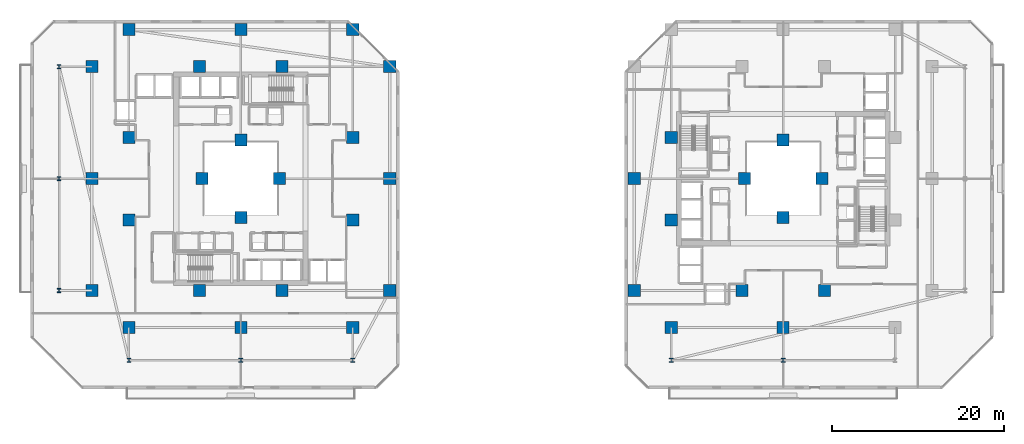
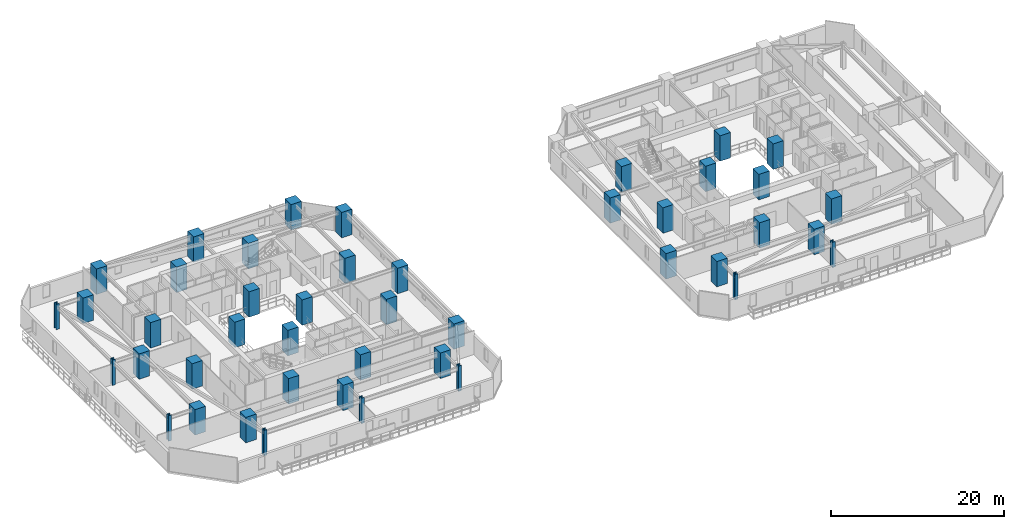
# One storey, part 1 of 33: 44 columns.
"""IFC4 building model written with IfcOpenShell, lengths in metres."""

from ifc_helpers import new_model, si_unit, direction, frame, origin, origin_2d, place, context, subcontext, project, spatial, rectangle, i_section, extrude, material, material_profile, profile_set, type_object, element, save


model = new_model("IFC4")

# Units and contexts
model_context = context("Model", 3, precision=1e-05, world=origin(), true_north=direction((0.0, 1.0)))
body_context = subcontext(model_context, "Body", "Model", "MODEL_VIEW")
ifc_project = project(units=[si_unit("LENGTHUNIT", "METRE"), si_unit("AREAUNIT", "SQUARE_METRE"), si_unit("VOLUMEUNIT", "CUBIC_METRE"), si_unit("PLANEANGLEUNIT", "RADIAN"), si_unit("MASSUNIT", "GRAM", prefix="KILO")], contexts=[model_context])

# Site, building, storey
site_placement = place(None, origin())
site = spatial("IfcSite", under=ifc_project, at=site_placement, CompositionType="ELEMENT")
building_placement = place(site_placement, origin())
building = spatial("IfcBuilding", under=site, at=building_placement, Name="Thornwick Lancets Civic Towers", CompositionType="ELEMENT")
storey_placement = place(building_placement, frame((0.0, 0.0, 31.5)))
storey = spatial("IfcBuildingStorey", under=building, at=storey_placement, Name="L07", CompositionType="ELEMENT", Elevation=31.5)

# Columns
ifc_material_1 = material(Name="Concrete C60/75", Category="concrete")
ifc_material_profile_1 = material_profile(ifc_material_1, rectangle(XDim=1.39990234375, YDim=1.39990234375, at=origin_2d()), Name="RC 1400x1400")
ifc_profile_set_1 = profile_set([ifc_material_profile_1], Name="Concrete C60/75")
column_type_1 = type_object("IfcColumnType", Name="COL_RC_1400", PredefinedType="COLUMN", material=ifc_profile_set_1)
for number, where, z_axis, x_axis, name in (
    (1, (12.5, 9.699951171875, 0.0), (0.0, 0.0, 1.0), (1.0, 0.0, 0.0), "L07 Spine Mega-Column A01"),
    (2, (25.5, 9.699951171875, 0.0), (0.0, 0.0, 1.0), (1.0, 0.0, 0.0), "L07 Spine Mega-Column A02"),
    (3, (38.5, 9.699951171875, 0.0), (0.0, 0.0, 1.0), (1.0, 0.0, 0.0), "L07 Spine Mega-Column A03"),
    (4, (42.800048828125, 14.0, 0.0), (0.0, 0.0, 1.0), (1.0, 0.0, 0.0), "L07 Spine Mega-Column A04"),
    (5, (42.800048828125, 27.0, 0.0), (0.0, 0.0, 1.0), (1.0, 0.0, 0.0), "L07 Spine Mega-Column A05"),
    (6, (42.800048828125, 40.0, 0.0), (0.0, 0.0, 1.0), (1.0, 0.0, 0.0), "L07 Spine Mega-Column A06"),
    (7, (12.5, 44.300048828125, 0.0), (0.0, 0.0, 1.0), (1.0, 0.0, 0.0), "L07 Spine Mega-Column A07"),
    (8, (25.5, 44.300048828125, 0.0), (0.0, 0.0, 1.0), (1.0, 0.0, 0.0), "L07 Spine Mega-Column A08"),
    (9, (38.5, 44.300048828125, 0.0), (0.0, 0.0, 1.0), (1.0, 0.0, 0.0), "L07 Spine Mega-Column A09"),
    (10, (8.199951171875, 14.0, 0.0), (0.0, 0.0, 1.0), (1.0, 0.0, 0.0), "L07 Spine Mega-Column A10"),
    (11, (8.199951171875, 27.0, 0.0), (0.0, 0.0, 1.0), (1.0, 0.0, 0.0), "L07 Spine Mega-Column A11"),
    (12, (8.199951171875, 40.0, 0.0), (0.0, 0.0, 1.0), (1.0, 0.0, 0.0), "L07 Spine Mega-Column A12"),
    (13, (12.5, 22.199951171875, 0.0), (0.0, 0.0, 1.0), (1.0, 0.0, 0.0), "L07 Spine Mega-Column A13"),
    (14, (38.5, 22.199951171875, 0.0), (0.0, 0.0, 1.0), (1.0, 0.0, 0.0), "L07 Spine Mega-Column A14"),
    (15, (12.5, 31.800048828125, 0.0), (0.0, 0.0, 1.0), (1.0, 0.0, 0.0), "L07 Spine Mega-Column A15"),
    (16, (38.5, 31.800048828125, 0.0), (0.0, 0.0, 1.0), (1.0, 0.0, 0.0), "L07 Spine Mega-Column A16"),
    (17, (20.699951171875, 14.0, 0.0), (0.0, 0.0, 1.0), (1.0, 0.0, 0.0), "L07 Spine Mega-Column A17"),
    (18, (30.300048828125, 14.0, 0.0), (0.0, 0.0, 1.0), (1.0, 0.0, 0.0), "L07 Spine Mega-Column A18"),
    (19, (20.699951171875, 40.0, 0.0), (0.0, 0.0, 1.0), (1.0, 0.0, 0.0), "L07 Spine Mega-Column A19"),
    (20, (30.300048828125, 40.0, 0.0), (0.0, 0.0, 1.0), (1.0, 0.0, 0.0), "L07 Spine Mega-Column A20"),
    (21, (25.5, 22.5, 0.0), (0.0, 0.0, 1.0), (1.0, 0.0, 0.0), "L07 Spine Mega-Column A21"),
    (22, (25.5, 31.5, 0.0), (0.0, 0.0, 1.0), (1.0, 0.0, 0.0), "L07 Spine Mega-Column A22"),
    (23, (21.0, 27.0, 0.0), (0.0, 0.0, 1.0), (1.0, 0.0, 0.0), "L07 Spine Mega-Column A23"),
    (24, (30.0, 27.0, 0.0), (0.0, 0.0, 1.0), (1.0, 0.0, 0.0), "L07 Spine Mega-Column A24"),
    (25, (71.199951171875, 14.0, 0.0), (0.0, 0.0, 1.0), (1.0, 0.0, 0.0), "L07 Spine Mega-Column B07"),
    (26, (71.199951171875, 27.0, 0.0), (0.0, 0.0, 1.0), (1.0, 0.0, 0.0), "L07 Spine Mega-Column B08"),
    (27, (88.5, 9.699951171875, 0.0), (0.0, 0.0, 1.0), (1.0, 0.0, 0.0), "L07 Spine Mega-Column B11"),
    (28, (75.5, 9.699951171875, 0.0), (0.0, 0.0, 1.0), (1.0, 0.0, 0.0), "L07 Spine Mega-Column B12"),
    (29, (93.300048828125, 14.0, 0.0), (0.0, 0.0, 1.0), (1.0, 0.0, 0.0), "L07 Spine Mega-Column B13"),
    (30, (83.699951171875, 14.0, 0.0), (0.0, 0.0, 1.0), (1.0, 0.0, 0.0), "L07 Spine Mega-Column B15"),
    (31, (75.5, 22.199951171875, 0.0), (0.0, 0.0, 1.0), (1.0, 0.0, 0.0), "L07 Spine Mega-Column B19"),
    (32, (75.5, 31.800048828125, 0.0), (0.0, 0.0, 1.0), (1.0, 0.0, 0.0), "L07 Spine Mega-Column B20"),
    (33, (93.0, 27.0, 0.0), (0.0, 0.0, 1.0), (1.0, 0.0, 0.0), "L07 Spine Mega-Column B21"),
    (34, (84.0, 27.0, 0.0), (0.0, 0.0, 1.0), (1.0, 0.0, 0.0), "L07 Spine Mega-Column B22"),
    (35, (88.5, 22.5, 0.0), (0.0, 0.0, 1.0), (1.0, 0.0, 0.0), "L07 Spine Mega-Column B23"),
    (36, (88.5, 31.5, 0.0), (0.0, 0.0, 1.0), (1.0, 0.0, 0.0), "L07 Spine Mega-Column B24"),
):
    element("IfcColumn", number, at=place(storey_placement, frame(where, z_axis=z_axis, x_axis=x_axis)), inside=storey, type_object=column_type_1, Name=name, PredefinedType="COLUMN", context=body_context, shape_type="SweptSolid", body=[
        extrude(rectangle(XDim=1.39990234375, YDim=1.39990234375, at=origin_2d()), origin(), (0.0, 0.0, 1.0), 3.60009765625),
    ])
ifc_material_2 = material(Name="Steel S460M", Category="steel")
ifc_material_profile_2 = material_profile(ifc_material_2, i_section(OverallWidth=0.424072265625, OverallDepth=0.474609375, WebThickness=0.047607421875, FlangeThickness=0.076904296875, FilletRadius=0.01513671875, at=origin_2d()), Name="UKC 356x406x634")
ifc_profile_set_2 = profile_set([ifc_material_profile_2], Name="Steel S460M")
column_type_2 = type_object("IfcColumnType", Name="COL_UKC_634", PredefinedType="COLUMN", material=ifc_profile_set_2)
for number, where, z_axis, x_axis, name in (
    (37, (12.5, 5.89990234375, 0.0), (0.0, 0.0, 1.0), (1.0, 0.0, 0.0), "L07 Block Perimeter Column A01"),
    (38, (25.5, 5.89990234375, 0.0), (0.0, 0.0, 1.0), (1.0, 0.0, 0.0), "L07 Block Perimeter Column A02"),
    (39, (38.5, 5.89990234375, 0.0), (0.0, 0.0, 1.0), (1.0, 0.0, 0.0), "L07 Block Perimeter Column A03"),
    (40, (4.39990234375, 14.0, 0.0), (0.0, 0.0, 1.0), (1.0, 0.0, 0.0), "L07 Block Perimeter Column A10"),
    (41, (4.39990234375, 27.0, 0.0), (0.0, 0.0, 1.0), (1.0, 0.0, 0.0), "L07 Block Perimeter Column A11"),
    (42, (4.39990234375, 40.0, 0.0), (0.0, 0.0, 1.0), (1.0, 0.0, 0.0), "L07 Block Perimeter Column A12"),
    (43, (88.5, 5.89990234375, 0.0), (0.0, 0.0, 1.0), (1.0, 0.0, 0.0), "L07 Block Perimeter Column B11"),
    (44, (75.5, 5.89990234375, 0.0), (0.0, 0.0, 1.0), (1.0, 0.0, 0.0), "L07 Block Perimeter Column B12"),
):
    element("IfcColumn", number, at=place(storey_placement, frame(where, z_axis=z_axis, x_axis=x_axis)), inside=storey, type_object=column_type_2, Name=name, PredefinedType="COLUMN", context=body_context, shape_type="SweptSolid", body=[
        extrude(i_section(OverallWidth=0.424072265625, OverallDepth=0.474609375, WebThickness=0.047607421875, FlangeThickness=0.076904296875, FilletRadius=0.01513671875, at=origin_2d()), origin(), (0.0, 0.0, 1.0), 3.60009765625),
    ])

save(model, "model.ifc")
